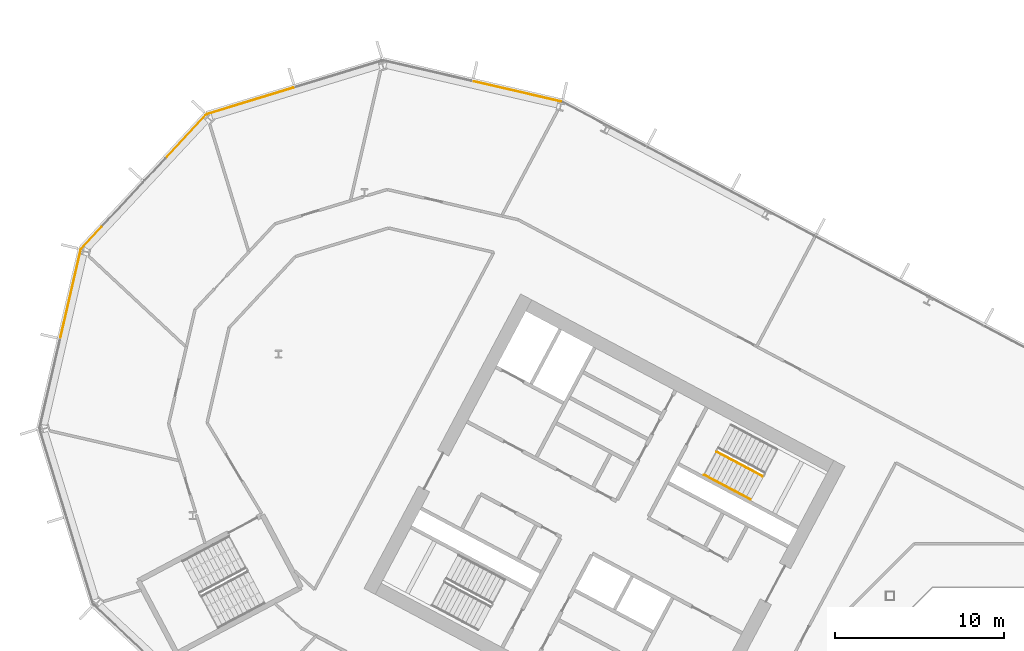
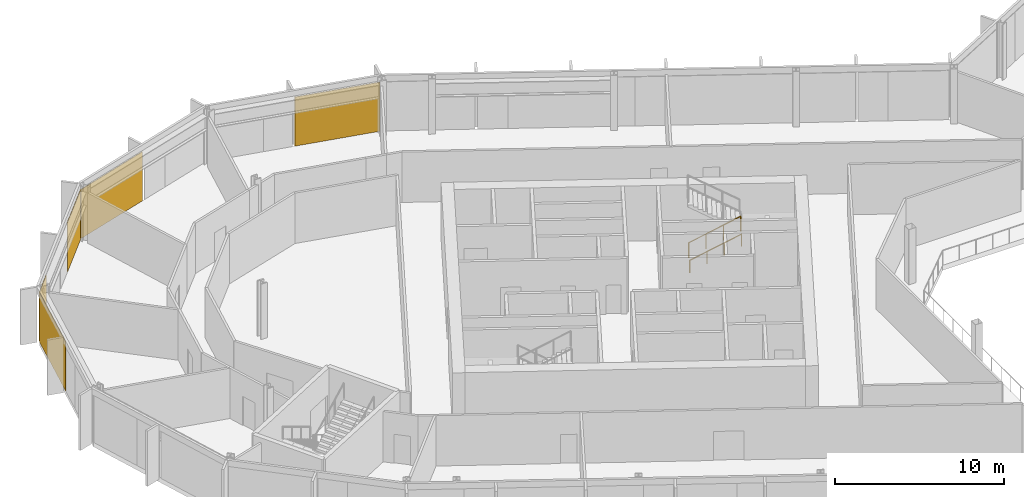
# One storey, part 22 of 28: 5 coverings, 2 railings, 4 elements without a shape of their own.
"""IFC4 building model written with IfcOpenShell, lengths in metres."""

from ifc_helpers import new_model, si_unit, direction, frame, origin, origin_2d, place, context, subcontext, project, spatial, polyline, rectangle, outline, extrude, material, layer, layer_set, type_object, element, aggregate, save


model = new_model("IFC4")

# Units and contexts
model_context = context("Model", 3, precision=1e-05, world=origin(), true_north=direction((0.0, 1.0)))
body_context = subcontext(model_context, "Body", "Model", "MODEL_VIEW")
ifc_project = project(units=[si_unit("LENGTHUNIT", "METRE"), si_unit("AREAUNIT", "SQUARE_METRE"), si_unit("VOLUMEUNIT", "CUBIC_METRE"), si_unit("PLANEANGLEUNIT", "RADIAN"), si_unit("MASSUNIT", "GRAM", prefix="KILO")], contexts=[model_context])

# Site, building, storey
site_placement = place(None, origin())
site = spatial("IfcSite", under=ifc_project, at=site_placement, CompositionType="ELEMENT")
building_placement = place(site_placement, origin())
building = spatial("IfcBuilding", under=site, at=building_placement, Name="Cormorant Relay Tower", CompositionType="ELEMENT")
storey_placement = place(building_placement, frame((0.0, 0.0, 150.199951171875)))
storey = spatial("IfcBuildingStorey", under=building, at=storey_placement, Name="L31", CompositionType="ELEMENT", Elevation=150.199951171875)

# Curtain wall, covering
ifc_material_1 = material(Name="Aluminium 6063-T6 anodised bronze", Category="aluminium")
ifc_layer_1 = layer(ifc_material_1, 0.199951171875)
ifc_layer_set_1 = layer_set([ifc_layer_1], Name="CW1 unitised bronze curtain wall with vertical fins")
curtain_wall_type = type_object("IfcCurtainWallType", Name="CW1 unitised bronze curtain wall with vertical fins", PredefinedType="NOTDEFINED", material=ifc_layer_set_1)
curtain_wall_1_placement = place(storey_placement, origin())
curtain_wall_1 = element("IfcCurtainWall", 1, at=curtain_wall_1_placement, inside=storey, type_object=curtain_wall_type, Name="CW1 curtain wall 10", PredefinedType="NOTDEFINED")
ifc_material_2 = material(Name="Pale bronze anodised aluminium insulated panel", Category="aluminium")
ifc_layer_2 = layer(ifc_material_2, 0.0400390625)
ifc_layer_set_2 = layer_set([ifc_layer_2], Name="CW1 pale bronze insulated panel 40")
covering_type = type_object("IfcCoveringType", Name="CW1 pale bronze insulated panel 40", PredefinedType="CLADDING", material=ifc_layer_set_2)
covering_1_placement = place(storey_placement, frame((-32.51708984375, 40.298828125, 0.0), z_axis=(0.0, 0.0, 1.0), x_axis=(-0.974370064785, 0.224951054344, 0.0)))
covering_1 = element("IfcCovering", 2, at=covering_1_placement, type_object=covering_type, Name="CW1 panel S00", PredefinedType="CLADDING", context=body_context, shape_type="SweptSolid", body=[
    extrude(rectangle(XDim=5.28515625, YDim=0.0400390625, at=origin_2d()), origin(), (0.0, 0.0, 1.0), 3.550048828125),
])
aggregate(curtain_wall_1, [covering_1])

curtain_wall_2_placement = place(storey_placement, origin())
curtain_wall_2 = element("IfcCurtainWall", 3, at=curtain_wall_2_placement, inside=storey, type_object=curtain_wall_type, Name="CW1 curtain wall 11", PredefinedType="NOTDEFINED")
covering_2_placement = place(storey_placement, frame((-48.3037109375, 39.73779296875, 0.0), z_axis=(0.0, 0.0, 1.0), x_axis=(-0.956304755963, -0.292371704723, 0.0)))
covering_2 = element("IfcCovering", 4, at=covering_2_placement, type_object=covering_type, Name="CW1 panel S02", PredefinedType="CLADDING", context=body_context, shape_type="SweptSolid", body=[
    extrude(rectangle(XDim=5.360107421875, YDim=0.0400390625, at=origin_2d()), origin(), (0.0, 0.0, 1.0), 3.550048828125),
])
aggregate(curtain_wall_2, [covering_2])

# Curtain wall, coverings
curtain_wall_3_placement = place(storey_placement, origin())
curtain_wall_3 = element("IfcCurtainWall", 5, at=curtain_wall_3_placement, inside=storey, type_object=curtain_wall_type, Name="CW1 curtain wall 12", PredefinedType="NOTDEFINED")
covering_3_placement = place(storey_placement, frame((-52.115234375, 37.61962890625, 0.0), z_axis=(0.0, 0.0, 1.0), x_axis=(-0.681998360062, -0.731353701619, 0.0)))
covering_3 = element("IfcCovering", 6, at=covering_3_placement, type_object=covering_type, Name="CW1 panel S00", PredefinedType="CLADDING", context=body_context, shape_type="SweptSolid", body=[
    extrude(rectangle(XDim=3.485107421875, YDim=0.0400390625, at=origin_2d()), origin(), (0.0, 0.0, 1.0), 3.550048828125),
])
covering_4_placement = place(storey_placement, frame((-57.68896484375, 31.642333984375, 0.0), z_axis=(0.0, 0.0, 1.0), x_axis=(-0.681998360062, -0.731353701619, 0.0)))
covering_4 = element("IfcCovering", 7, at=covering_4_placement, type_object=covering_type, Name="CW1 panel S03", PredefinedType="CLADDING", context=body_context, shape_type="SweptSolid", body=[
    extrude(rectangle(XDim=1.76025390625, YDim=0.0400390625, at=origin_2d()), origin(), (0.0, 0.0, 1.0), 3.550048828125),
])
aggregate(curtain_wall_3, [covering_3, covering_4])

# Curtain wall, covering
curtain_wall_4_placement = place(storey_placement, origin())
curtain_wall_4 = element("IfcCurtainWall", 8, at=curtain_wall_4_placement, inside=storey, type_object=curtain_wall_type, Name="CW1 curtain wall 13", PredefinedType="NOTDEFINED")
covering_5_placement = place(storey_placement, frame((-58.905517578125, 28.341796875, 0.0), z_axis=(0.0, 0.0, 1.0), x_axis=(-0.224951054344, -0.974370064785, 0.0)))
covering_5 = element("IfcCovering", 9, at=covering_5_placement, type_object=covering_type, Name="CW1 panel S00", PredefinedType="CLADDING", context=body_context, shape_type="SweptSolid", body=[
    extrude(rectangle(XDim=5.28515625, YDim=0.0400390625, at=origin_2d()), origin(), (0.0, 0.0, 1.0), 3.550048828125),
])
aggregate(curtain_wall_4, [covering_5])

# Railings
ifc_material_3 = material(Name="Steel ASTM A572 Grade 50 (Fy 345 MPa)", Category="steel")
railing_type_1 = type_object("IfcRailingType", Name="Stair guard 1100", PredefinedType="GUARDRAIL", material=ifc_material_3)
railing_1_placement = place(storey_placement, frame((-20.75048828125, 19.017822265625, 0.166748046875)))
element("IfcRailing", 10, at=railing_1_placement, inside=storey, type_object=railing_type_1, Name="L31 A1 stair guard 1", PredefinedType="GUARDRAIL", context=body_context, shape_type="SweptSolid", body=[
    extrude(outline(polyline([(0.022216796875, 0.00927734375), (0.00927734375, 0.022216796875), (-0.00927734375, 0.022216796875), (-0.022216796875, 0.00927734375), (-0.022216796875, -0.00927734375), (-0.00927734375, -0.022216796875), (0.00927734375, -0.022216796875), (0.022216796875, -0.00927734375), (0.022216796875, 0.00927734375)])), frame((0.0, 0.0, 1.076171875), z_axis=(0.758734504837, -0.403377838015, 0.511476559549), x_axis=(0.469427602063, 0.882970965786, 0.0)), (0.0, 0.0, 1.0), 3.584228515625),
    extrude(outline(polyline([(0.019287109375, 0.008056640625), (0.008056640625, 0.019287109375), (-0.008056640625, 0.019287109375), (-0.019287109375, 0.008056640625), (-0.019287109375, -0.008056640625), (-0.008056640625, -0.019287109375), (0.008056640625, -0.019287109375), (0.019287109375, -0.008056640625), (0.019287109375, 0.008056640625)])), origin(), (0.0, 0.0, 1.0), 1.052001953125),
    extrude(outline(polyline([(0.019287109375, 0.008056640625), (0.008056640625, 0.019287109375), (-0.008056640625, 0.019287109375), (-0.019287109375, 0.008056640625), (-0.019287109375, -0.008056640625), (-0.008056640625, -0.019287109375), (0.008056640625, -0.019287109375), (0.019287109375, -0.008056640625), (0.019287109375, 0.008056640625)])), frame((0.906494140625, -0.48193359375, 0.611083984375)), (0.0, 0.0, 1.0), 1.052001953125),
    extrude(outline(polyline([(0.019287109375, 0.008056640625), (0.008056640625, 0.019287109375), (-0.008056640625, 0.019287109375), (-0.019287109375, 0.008056640625), (-0.019287109375, -0.008056640625), (-0.008056640625, -0.019287109375), (0.008056640625, -0.019287109375), (0.019287109375, -0.008056640625), (0.019287109375, 0.008056640625)])), frame((1.81298828125, -0.9638671875, 1.22216796875)), (0.0, 0.0, 1.0), 1.052001953125),
    extrude(outline(polyline([(0.019287109375, 0.008056640625), (0.008056640625, 0.019287109375), (-0.008056640625, 0.019287109375), (-0.019287109375, 0.008056640625), (-0.019287109375, -0.008056640625), (-0.008056640625, -0.019287109375), (0.008056640625, -0.019287109375), (0.019287109375, -0.008056640625), (0.019287109375, 0.008056640625)])), frame((2.719482421875, -1.44580078125, 1.833251953125)), (0.0, 0.0, 1.0), 1.052001953125),
])
ifc_material_4 = material(Name="Steel ASTM A572 Grade 50 (Fy 345 MPa)", Category="steel")
railing_type_2 = type_object("IfcRailingType", Name="Stair handrail 900", PredefinedType="HANDRAIL", material=ifc_material_4)
railing_2_placement = place(storey_placement, frame((-21.478271484375, 17.6494140625, 0.166748046875)))
element("IfcRailing", 11, at=railing_2_placement, inside=storey, type_object=railing_type_2, Name="L31 A1 stair handrail 1", PredefinedType="HANDRAIL", context=body_context, shape_type="SweptSolid", body=[
    extrude(outline(polyline([(0.022216796875, 0.00927734375), (0.00927734375, 0.022216796875), (-0.00927734375, 0.022216796875), (-0.022216796875, 0.00927734375), (-0.022216796875, -0.00927734375), (-0.00927734375, -0.022216796875), (0.00927734375, -0.022216796875), (0.022216796875, -0.00927734375), (0.022216796875, 0.00927734375)])), frame((0.0, 0.0, 0.8759765625), z_axis=(0.758713656843, -0.403434867536, 0.511462505542), x_axis=(0.469489399267, 0.882938108802, 0.0)), (0.0, 0.0, 1.0), 3.584228515625),
    extrude(outline(polyline([(0.019287109375, 0.008056640625), (0.008056640625, 0.019287109375), (-0.008056640625, 0.019287109375), (-0.019287109375, 0.008056640625), (-0.019287109375, -0.008056640625), (-0.008056640625, -0.019287109375), (0.008056640625, -0.019287109375), (0.019287109375, -0.008056640625), (0.019287109375, 0.008056640625)])), origin(), (0.0, 0.0, 1.0), 0.851806640625),
    extrude(outline(polyline([(0.019287109375, 0.008056640625), (0.008056640625, 0.019287109375), (-0.008056640625, 0.019287109375), (-0.019287109375, 0.008056640625), (-0.019287109375, -0.008056640625), (-0.008056640625, -0.019287109375), (0.008056640625, -0.019287109375), (0.019287109375, -0.008056640625), (0.019287109375, 0.008056640625)])), frame((0.906494140625, -0.48193359375, 0.611083984375)), (0.0, 0.0, 1.0), 0.851806640625),
    extrude(outline(polyline([(0.019287109375, 0.008056640625), (0.008056640625, 0.019287109375), (-0.008056640625, 0.019287109375), (-0.019287109375, 0.008056640625), (-0.019287109375, -0.008056640625), (-0.008056640625, -0.019287109375), (0.008056640625, -0.019287109375), (0.019287109375, -0.008056640625), (0.019287109375, 0.008056640625)])), frame((1.81298828125, -0.964111328125, 1.22216796875)), (0.0, 0.0, 1.0), 0.851806640625),
    extrude(outline(polyline([(0.019287109375, 0.008056640625), (0.008056640625, 0.019287109375), (-0.008056640625, 0.019287109375), (-0.019287109375, 0.008056640625), (-0.019287109375, -0.008056640625), (-0.008056640625, -0.019287109375), (0.008056640625, -0.019287109375), (0.019287109375, -0.008056640625), (0.019287109375, 0.008056640625)])), frame((2.719482421875, -1.446044921875, 1.833251953125)), (0.0, 0.0, 1.0), 0.851806640625),
])

save(model, "model.ifc")
